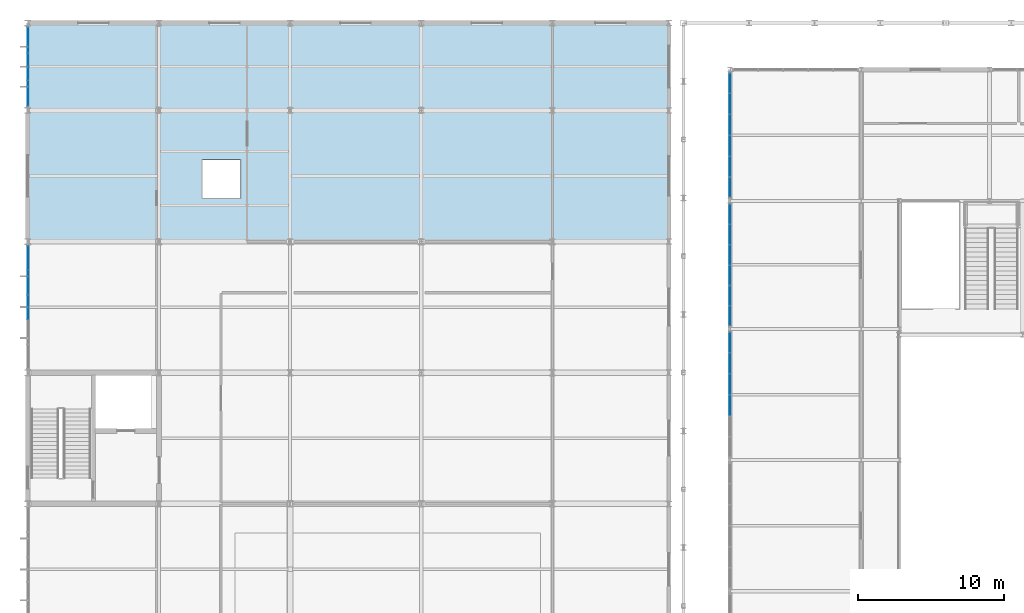
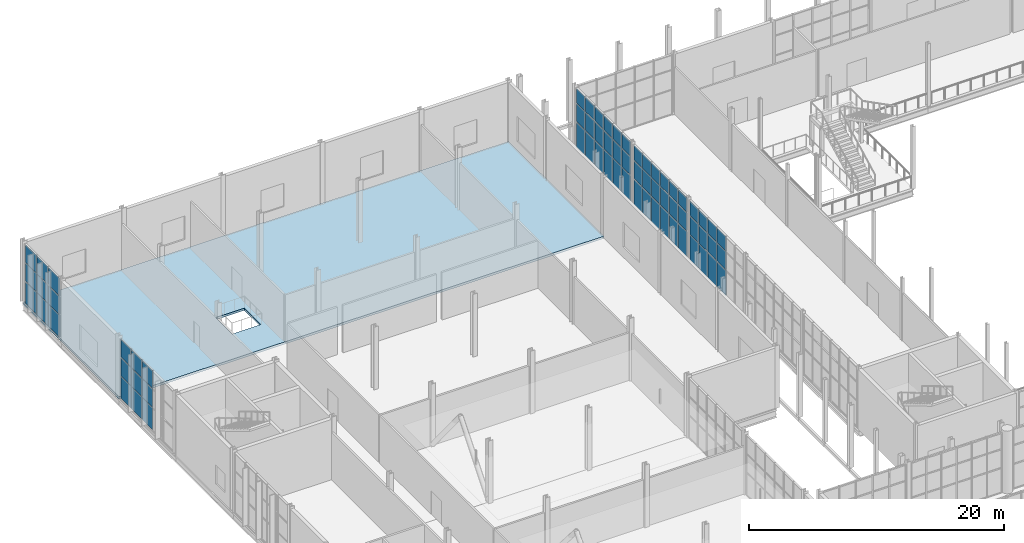
# One storey, part 104 of 159: 66 plates, 1 slab, 5 elements without a shape of their own.
"""IFC4 building model written with IfcOpenShell, lengths in metres."""

from ifc_helpers import new_model, si_unit, direction, frame, origin, origin_2d, place, context, subcontext, project, spatial, polyline, rectangle, outline, extrude, material, layer, layer_set, type_object, element, aggregate, save


model = new_model("IFC4")

# Units and contexts
model_context = context("Model", 3, precision=1e-05, world=origin(), true_north=direction((0.0, 1.0)))
body_context = subcontext(model_context, "Body", "Model", "MODEL_VIEW")
ifc_project = project(units=[si_unit("LENGTHUNIT", "METRE"), si_unit("AREAUNIT", "SQUARE_METRE"), si_unit("VOLUMEUNIT", "CUBIC_METRE"), si_unit("PLANEANGLEUNIT", "RADIAN"), si_unit("MASSUNIT", "GRAM", prefix="KILO")], contexts=[model_context])

# Site, building, storey
site_placement = place(None, origin())
site = spatial("IfcSite", under=ifc_project, at=site_placement, CompositionType="ELEMENT")
building_placement = place(site_placement, origin())
building = spatial("IfcBuilding", under=site, at=building_placement, Name="Cazmaro Siding Exhibition Halls", CompositionType="ELEMENT")
storey_placement = place(building_placement, frame((0.0, 0.0, 6.0)))
storey = spatial("IfcBuildingStorey", under=building, at=storey_placement, Name="L01", CompositionType="ELEMENT", Elevation=6.0)

# Curtain wall, plates
ifc_material_1 = material(Name="Anodized Bronze Aluminum and Solar-Control Low-E Glazing", Category="aluminium")
ifc_layer_1 = layer(ifc_material_1, 0.199951171875)
ifc_layer_set_1 = layer_set([ifc_layer_1], Name="Anodized Bronze Aluminum and Solar-Control Low-E Glazing")
curtain_wall_type_1 = type_object("IfcCurtainWallType", Name="CWS-02", PredefinedType="USERDEFINED", material=ifc_layer_set_1)
curtain_wall_1_placement = place(storey_placement, origin())
curtain_wall_1 = element("IfcCurtainWall", 1, at=curtain_wall_1_placement, inside=storey, type_object=curtain_wall_type_1, Name="Glazed Curtain Wall CWS-02 CW-234", ObjectType="GLAZED CURTAIN WALL", PredefinedType="USERDEFINED")
ifc_material_2 = material(Name="Solar-Control Low-E Double Insulating Glass", Category="glass")
ifc_layer_2 = layer(ifc_material_2, 0.035888671875)
ifc_layer_set_2 = layer_set([ifc_layer_2], Name="Solar-Control Low-E Double Insulating Glass")
plate_type_1 = type_object("IfcPlateType", Name="CWP-02", PredefinedType="CURTAIN_PANEL", material=ifc_layer_set_2)
plate_1_placement = place(storey_placement, frame((0.0, 107.88134765625, 0.06494140625), z_axis=(0.0, 0.0, 1.0), x_axis=(0.0, -1.0, 0.0)))
plate_1 = element("IfcPlate", 2, at=plate_1_placement, type_object=plate_type_1, Name="CWS-02 panel 1.1", PredefinedType="CURTAIN_PANEL", context=body_context, shape_type="SweptSolid", body=[
    extrude(rectangle(XDim=1.601318359375, YDim=0.035888671875, at=origin_2d()), origin(), (0.0, 0.0, 1.0), 2.1025390625),
])
plate_2_placement = place(storey_placement, frame((0.0, 107.88134765625, 2.232421875), z_axis=(0.0, 0.0, 1.0), x_axis=(0.0, -1.0, 0.0)))
plate_2 = element("IfcPlate", 3, at=plate_2_placement, type_object=plate_type_1, Name="CWS-02 panel 1.2", PredefinedType="CURTAIN_PANEL", context=body_context, shape_type="SweptSolid", body=[
    extrude(rectangle(XDim=1.601318359375, YDim=0.035888671875, at=origin_2d()), origin(), (0.0, 0.0, 1.0), 1.735107421875),
])
plate_3_placement = place(storey_placement, frame((0.0, 107.88134765625, 4.032470703125), z_axis=(0.0, 0.0, 1.0), x_axis=(0.0, -1.0, 0.0)))
plate_3 = element("IfcPlate", 4, at=plate_3_placement, type_object=plate_type_1, Name="CWS-02 panel 1.3", PredefinedType="CURTAIN_PANEL", context=body_context, shape_type="SweptSolid", body=[
    extrude(rectangle(XDim=1.601318359375, YDim=0.035888671875, at=origin_2d()), origin(), (0.0, 0.0, 1.0), 1.6826171875),
])
plate_4_placement = place(storey_placement, frame((0.0, 106.19873046875, 0.06494140625), z_axis=(0.0, 0.0, 1.0), x_axis=(0.0, -1.0, 0.0)))
plate_4 = element("IfcPlate", 5, at=plate_4_placement, type_object=plate_type_1, Name="CWS-02 panel 2.1", PredefinedType="CURTAIN_PANEL", context=body_context, shape_type="SweptSolid", body=[
    extrude(rectangle(XDim=1.6337890625, YDim=0.035888671875, at=origin_2d()), origin(), (0.0, 0.0, 1.0), 2.1025390625),
])
plate_5_placement = place(storey_placement, frame((0.0, 106.19873046875, 2.232421875), z_axis=(0.0, 0.0, 1.0), x_axis=(0.0, -1.0, 0.0)))
plate_5 = element("IfcPlate", 6, at=plate_5_placement, type_object=plate_type_1, Name="CWS-02 panel 2.2", PredefinedType="CURTAIN_PANEL", context=body_context, shape_type="SweptSolid", body=[
    extrude(rectangle(XDim=1.6337890625, YDim=0.035888671875, at=origin_2d()), origin(), (0.0, 0.0, 1.0), 1.735107421875),
])
plate_6_placement = place(storey_placement, frame((0.0, 106.19873046875, 4.032470703125), z_axis=(0.0, 0.0, 1.0), x_axis=(0.0, -1.0, 0.0)))
plate_6 = element("IfcPlate", 7, at=plate_6_placement, type_object=plate_type_1, Name="CWS-02 panel 2.3", PredefinedType="CURTAIN_PANEL", context=body_context, shape_type="SweptSolid", body=[
    extrude(rectangle(XDim=1.6337890625, YDim=0.035888671875, at=origin_2d()), origin(), (0.0, 0.0, 1.0), 1.6826171875),
])
plate_7_placement = place(storey_placement, frame((0.0, 104.5, 0.06494140625), z_axis=(0.0, 0.0, 1.0), x_axis=(0.0, -1.0, 0.0)))
plate_7 = element("IfcPlate", 8, at=plate_7_placement, type_object=plate_type_1, Name="CWS-02 panel 3.1", PredefinedType="CURTAIN_PANEL", context=body_context, shape_type="SweptSolid", body=[
    extrude(rectangle(XDim=1.6337890625, YDim=0.035888671875, at=origin_2d()), origin(), (0.0, 0.0, 1.0), 2.1025390625),
])
plate_8_placement = place(storey_placement, frame((0.0, 104.5, 2.232421875), z_axis=(0.0, 0.0, 1.0), x_axis=(0.0, -1.0, 0.0)))
plate_8 = element("IfcPlate", 9, at=plate_8_placement, type_object=plate_type_1, Name="CWS-02 panel 3.2", PredefinedType="CURTAIN_PANEL", context=body_context, shape_type="SweptSolid", body=[
    extrude(rectangle(XDim=1.6337890625, YDim=0.035888671875, at=origin_2d()), origin(), (0.0, 0.0, 1.0), 1.735107421875),
])
plate_9_placement = place(storey_placement, frame((0.0, 104.5, 4.032470703125), z_axis=(0.0, 0.0, 1.0), x_axis=(0.0, -1.0, 0.0)))
plate_9 = element("IfcPlate", 10, at=plate_9_placement, type_object=plate_type_1, Name="CWS-02 panel 3.3", PredefinedType="CURTAIN_PANEL", context=body_context, shape_type="SweptSolid", body=[
    extrude(rectangle(XDim=1.6337890625, YDim=0.035888671875, at=origin_2d()), origin(), (0.0, 0.0, 1.0), 1.6826171875),
])
aggregate(curtain_wall_1, [plate_1, plate_2, plate_3, plate_4, plate_5, plate_6, plate_7, plate_8, plate_9])

curtain_wall_2_placement = place(storey_placement, origin())
curtain_wall_2 = element("IfcCurtainWall", 11, at=curtain_wall_2_placement, inside=storey, type_object=curtain_wall_type_1, Name="Glazed Curtain Wall CWS-02 CW-235", ObjectType="GLAZED CURTAIN WALL", PredefinedType="USERDEFINED")
plate_10_placement = place(storey_placement, frame((0.0, 122.815185546875, 0.06494140625), z_axis=(0.0, 0.0, 1.0), x_axis=(0.0, -1.0, 0.0)))
plate_10 = element("IfcPlate", 12, at=plate_10_placement, type_object=plate_type_1, Name="CWS-02 panel 1.1", PredefinedType="CURTAIN_PANEL", context=body_context, shape_type="SweptSolid", body=[
    extrude(rectangle(XDim=1.73388671875, YDim=0.035888671875, at=origin_2d()), origin(), (0.0, 0.0, 1.0), 2.1025390625),
])
plate_11_placement = place(storey_placement, frame((0.0, 122.815185546875, 2.232421875), z_axis=(0.0, 0.0, 1.0), x_axis=(0.0, -1.0, 0.0)))
plate_11 = element("IfcPlate", 13, at=plate_11_placement, type_object=plate_type_1, Name="CWS-02 panel 1.2", PredefinedType="CURTAIN_PANEL", context=body_context, shape_type="SweptSolid", body=[
    extrude(rectangle(XDim=1.73388671875, YDim=0.035888671875, at=origin_2d()), origin(), (0.0, 0.0, 1.0), 1.735107421875),
])
plate_12_placement = place(storey_placement, frame((0.0, 122.815185546875, 4.032470703125), z_axis=(0.0, 0.0, 1.0), x_axis=(0.0, -1.0, 0.0)))
plate_12 = element("IfcPlate", 14, at=plate_12_placement, type_object=plate_type_1, Name="CWS-02 panel 1.3", PredefinedType="CURTAIN_PANEL", context=body_context, shape_type="SweptSolid", body=[
    extrude(rectangle(XDim=1.73388671875, YDim=0.035888671875, at=origin_2d()), origin(), (0.0, 0.0, 1.0), 1.6826171875),
])
plate_13_placement = place(storey_placement, frame((0.0, 121.0, 0.06494140625), z_axis=(0.0, 0.0, 1.0), x_axis=(0.0, -1.0, 0.0)))
plate_13 = element("IfcPlate", 15, at=plate_13_placement, type_object=plate_type_1, Name="CWS-02 panel 2.1", PredefinedType="CURTAIN_PANEL", context=body_context, shape_type="SweptSolid", body=[
    extrude(rectangle(XDim=1.766357421875, YDim=0.035888671875, at=origin_2d()), origin(), (0.0, 0.0, 1.0), 2.1025390625),
])
plate_14_placement = place(storey_placement, frame((0.0, 121.0, 2.232421875), z_axis=(0.0, 0.0, 1.0), x_axis=(0.0, -1.0, 0.0)))
plate_14 = element("IfcPlate", 16, at=plate_14_placement, type_object=plate_type_1, Name="CWS-02 panel 2.2", PredefinedType="CURTAIN_PANEL", context=body_context, shape_type="SweptSolid", body=[
    extrude(rectangle(XDim=1.766357421875, YDim=0.035888671875, at=origin_2d()), origin(), (0.0, 0.0, 1.0), 1.735107421875),
])
plate_15_placement = place(storey_placement, frame((0.0, 121.0, 4.032470703125), z_axis=(0.0, 0.0, 1.0), x_axis=(0.0, -1.0, 0.0)))
plate_15 = element("IfcPlate", 17, at=plate_15_placement, type_object=plate_type_1, Name="CWS-02 panel 2.3", PredefinedType="CURTAIN_PANEL", context=body_context, shape_type="SweptSolid", body=[
    extrude(rectangle(XDim=1.766357421875, YDim=0.035888671875, at=origin_2d()), origin(), (0.0, 0.0, 1.0), 1.6826171875),
])
plate_16_placement = place(storey_placement, frame((0.0, 119.184814453125, 0.06494140625), z_axis=(0.0, 0.0, 1.0), x_axis=(0.0, -1.0, 0.0)))
plate_16 = element("IfcPlate", 18, at=plate_16_placement, type_object=plate_type_1, Name="CWS-02 panel 3.1", PredefinedType="CURTAIN_PANEL", context=body_context, shape_type="SweptSolid", body=[
    extrude(rectangle(XDim=1.73388671875, YDim=0.035888671875, at=origin_2d()), origin(), (0.0, 0.0, 1.0), 2.1025390625),
])
plate_17_placement = place(storey_placement, frame((0.0, 119.184814453125, 2.232421875), z_axis=(0.0, 0.0, 1.0), x_axis=(0.0, -1.0, 0.0)))
plate_17 = element("IfcPlate", 19, at=plate_17_placement, type_object=plate_type_1, Name="CWS-02 panel 3.2", PredefinedType="CURTAIN_PANEL", context=body_context, shape_type="SweptSolid", body=[
    extrude(rectangle(XDim=1.73388671875, YDim=0.035888671875, at=origin_2d()), origin(), (0.0, 0.0, 1.0), 1.735107421875),
])
plate_18_placement = place(storey_placement, frame((0.0, 119.184814453125, 4.032470703125), z_axis=(0.0, 0.0, 1.0), x_axis=(0.0, -1.0, 0.0)))
plate_18 = element("IfcPlate", 20, at=plate_18_placement, type_object=plate_type_1, Name="CWS-02 panel 3.3", PredefinedType="CURTAIN_PANEL", context=body_context, shape_type="SweptSolid", body=[
    extrude(rectangle(XDim=1.73388671875, YDim=0.035888671875, at=origin_2d()), origin(), (0.0, 0.0, 1.0), 1.6826171875),
])
aggregate(curtain_wall_2, [plate_10, plate_11, plate_12, plate_13, plate_14, plate_15, plate_16, plate_17, plate_18])

ifc_material_3 = material(Name="Anodized Bronze Aluminum and Solar-Control Low-E Glazing", Category="aluminium")
ifc_layer_3 = layer(ifc_material_3, 0.219970703125)
ifc_layer_set_3 = layer_set([ifc_layer_3], Name="Anodized Bronze Aluminum and Solar-Control Low-E Glazing")
curtain_wall_type_2 = type_object("IfcCurtainWallType", Name="CWS-03", PredefinedType="USERDEFINED", material=ifc_layer_set_3)
curtain_wall_3_placement = place(storey_placement, origin())
curtain_wall_3 = element("IfcCurtainWall", 21, at=curtain_wall_3_placement, inside=storey, type_object=curtain_wall_type_2, Name="Glazed Curtain Wall CWS-03 CW-057", ObjectType="GLAZED CURTAIN WALL", PredefinedType="USERDEFINED")
ifc_material_4 = material(Name="Solar-Control Low-E Double Insulating Glass", Category="glass")
ifc_layer_4 = layer(ifc_material_4, 0.0458984375)
ifc_layer_set_4 = layer_set([ifc_layer_4], Name="Solar-Control Low-E Double Insulating Glass")
plate_type_2 = type_object("IfcPlateType", Name="CWP-03", PredefinedType="CURTAIN_PANEL", material=ifc_layer_set_4)
plate_19_placement = place(storey_placement, frame((48.199951171875, 102.0849609375, 0.070068359375), z_axis=(0.0, 0.0, 1.0), x_axis=(0.0, -1.0, 0.0)))
plate_19 = element("IfcPlate", 22, at=plate_19_placement, type_object=plate_type_2, Name="CWS-03 panel 1.1", PredefinedType="CURTAIN_PANEL", context=body_context, shape_type="SweptSolid", body=[
    extrude(rectangle(XDim=1.3359375, YDim=0.0458984375, at=origin_2d()), origin(), (0.0, 0.0, 1.0), 2.39501953125),
])
plate_20_placement = place(storey_placement, frame((48.199951171875, 102.0849609375, 2.534912109375), z_axis=(0.0, 0.0, 1.0), x_axis=(0.0, -1.0, 0.0)))
plate_20 = element("IfcPlate", 23, at=plate_20_placement, type_object=plate_type_2, Name="CWS-03 panel 1.2", PredefinedType="CURTAIN_PANEL", context=body_context, shape_type="SweptSolid", body=[
    extrude(rectangle(XDim=1.3359375, YDim=0.0458984375, at=origin_2d()), origin(), (0.0, 0.0, 1.0), 1.72998046875),
])
plate_21_placement = place(storey_placement, frame((48.199951171875, 102.0849609375, 4.3349609375), z_axis=(0.0, 0.0, 1.0), x_axis=(0.0, -1.0, 0.0)))
plate_21 = element("IfcPlate", 24, at=plate_21_placement, type_object=plate_type_2, Name="CWS-03 panel 1.3", PredefinedType="CURTAIN_PANEL", context=body_context, shape_type="SweptSolid", body=[
    extrude(rectangle(XDim=1.3359375, YDim=0.0458984375, at=origin_2d()), origin(), (0.0, 0.0, 1.0), 1.375),
])
plate_22_placement = place(storey_placement, frame((48.199951171875, 100.66162109375, 0.070068359375), z_axis=(0.0, 0.0, 1.0), x_axis=(0.0, -1.0, 0.0)))
plate_22 = element("IfcPlate", 25, at=plate_22_placement, type_object=plate_type_2, Name="CWS-03 panel 2.1", PredefinedType="CURTAIN_PANEL", context=body_context, shape_type="SweptSolid", body=[
    extrude(rectangle(XDim=1.37109375, YDim=0.0458984375, at=origin_2d()), origin(), (0.0, 0.0, 1.0), 2.39501953125),
])
plate_23_placement = place(storey_placement, frame((48.199951171875, 100.66162109375, 2.534912109375), z_axis=(0.0, 0.0, 1.0), x_axis=(0.0, -1.0, 0.0)))
plate_23 = element("IfcPlate", 26, at=plate_23_placement, type_object=plate_type_2, Name="CWS-03 panel 2.2", PredefinedType="CURTAIN_PANEL", context=body_context, shape_type="SweptSolid", body=[
    extrude(rectangle(XDim=1.37109375, YDim=0.0458984375, at=origin_2d()), origin(), (0.0, 0.0, 1.0), 1.72998046875),
])
plate_24_placement = place(storey_placement, frame((48.199951171875, 100.66162109375, 4.3349609375), z_axis=(0.0, 0.0, 1.0), x_axis=(0.0, -1.0, 0.0)))
plate_24 = element("IfcPlate", 27, at=plate_24_placement, type_object=plate_type_2, Name="CWS-03 panel 2.3", PredefinedType="CURTAIN_PANEL", context=body_context, shape_type="SweptSolid", body=[
    extrude(rectangle(XDim=1.37109375, YDim=0.0458984375, at=origin_2d()), origin(), (0.0, 0.0, 1.0), 1.375),
])
plate_25_placement = place(storey_placement, frame((48.199951171875, 99.220458984375, 0.070068359375), z_axis=(0.0, 0.0, 1.0), x_axis=(0.0, -1.0, 0.0)))
plate_25 = element("IfcPlate", 28, at=plate_25_placement, type_object=plate_type_2, Name="CWS-03 panel 3.1", PredefinedType="CURTAIN_PANEL", context=body_context, shape_type="SweptSolid", body=[
    extrude(rectangle(XDim=1.37109375, YDim=0.0458984375, at=origin_2d()), origin(), (0.0, 0.0, 1.0), 2.39501953125),
])
plate_26_placement = place(storey_placement, frame((48.199951171875, 99.220458984375, 2.534912109375), z_axis=(0.0, 0.0, 1.0), x_axis=(0.0, -1.0, 0.0)))
plate_26 = element("IfcPlate", 29, at=plate_26_placement, type_object=plate_type_2, Name="CWS-03 panel 3.2", PredefinedType="CURTAIN_PANEL", context=body_context, shape_type="SweptSolid", body=[
    extrude(rectangle(XDim=1.37109375, YDim=0.0458984375, at=origin_2d()), origin(), (0.0, 0.0, 1.0), 1.72998046875),
])
plate_27_placement = place(storey_placement, frame((48.199951171875, 99.220458984375, 4.3349609375), z_axis=(0.0, 0.0, 1.0), x_axis=(0.0, -1.0, 0.0)))
plate_27 = element("IfcPlate", 30, at=plate_27_placement, type_object=plate_type_2, Name="CWS-03 panel 3.3", PredefinedType="CURTAIN_PANEL", context=body_context, shape_type="SweptSolid", body=[
    extrude(rectangle(XDim=1.37109375, YDim=0.0458984375, at=origin_2d()), origin(), (0.0, 0.0, 1.0), 1.375),
])
plate_28_placement = place(storey_placement, frame((48.199951171875, 97.779541015625, 0.070068359375), z_axis=(0.0, 0.0, 1.0), x_axis=(0.0, -1.0, 0.0)))
plate_28 = element("IfcPlate", 31, at=plate_28_placement, type_object=plate_type_2, Name="CWS-03 panel 4.1", PredefinedType="CURTAIN_PANEL", context=body_context, shape_type="SweptSolid", body=[
    extrude(rectangle(XDim=1.37109375, YDim=0.0458984375, at=origin_2d()), origin(), (0.0, 0.0, 1.0), 2.39501953125),
])
plate_29_placement = place(storey_placement, frame((48.199951171875, 97.779541015625, 2.534912109375), z_axis=(0.0, 0.0, 1.0), x_axis=(0.0, -1.0, 0.0)))
plate_29 = element("IfcPlate", 32, at=plate_29_placement, type_object=plate_type_2, Name="CWS-03 panel 4.2", PredefinedType="CURTAIN_PANEL", context=body_context, shape_type="SweptSolid", body=[
    extrude(rectangle(XDim=1.37109375, YDim=0.0458984375, at=origin_2d()), origin(), (0.0, 0.0, 1.0), 1.72998046875),
])
plate_30_placement = place(storey_placement, frame((48.199951171875, 97.779541015625, 4.3349609375), z_axis=(0.0, 0.0, 1.0), x_axis=(0.0, -1.0, 0.0)))
plate_30 = element("IfcPlate", 33, at=plate_30_placement, type_object=plate_type_2, Name="CWS-03 panel 4.3", PredefinedType="CURTAIN_PANEL", context=body_context, shape_type="SweptSolid", body=[
    extrude(rectangle(XDim=1.37109375, YDim=0.0458984375, at=origin_2d()), origin(), (0.0, 0.0, 1.0), 1.375),
])
aggregate(curtain_wall_3, [plate_19, plate_20, plate_21, plate_22, plate_23, plate_24, plate_25, plate_26, plate_27, plate_28, plate_29, plate_30])

curtain_wall_4_placement = place(storey_placement, origin())
curtain_wall_4 = element("IfcCurtainWall", 34, at=curtain_wall_4_placement, inside=storey, type_object=curtain_wall_type_2, Name="Glazed Curtain Wall CWS-03 CW-060", ObjectType="GLAZED CURTAIN WALL", PredefinedType="USERDEFINED")
plate_31_placement = place(storey_placement, frame((48.199951171875, 110.88232421875, 0.070068359375), z_axis=(0.0, 0.0, 1.0), x_axis=(0.0, -1.0, 0.0)))
plate_31 = element("IfcPlate", 35, at=plate_31_placement, type_object=plate_type_2, Name="CWS-03 panel 1.1", PredefinedType="CURTAIN_PANEL", context=body_context, shape_type="SweptSolid", body=[
    extrude(rectangle(XDim=1.299072265625, YDim=0.0458984375, at=origin_2d()), origin(), (0.0, 0.0, 1.0), 2.39501953125),
])
plate_32_placement = place(storey_placement, frame((48.199951171875, 110.88232421875, 2.534912109375), z_axis=(0.0, 0.0, 1.0), x_axis=(0.0, -1.0, 0.0)))
plate_32 = element("IfcPlate", 36, at=plate_32_placement, type_object=plate_type_2, Name="CWS-03 panel 1.2", PredefinedType="CURTAIN_PANEL", context=body_context, shape_type="SweptSolid", body=[
    extrude(rectangle(XDim=1.299072265625, YDim=0.0458984375, at=origin_2d()), origin(), (0.0, 0.0, 1.0), 1.72998046875),
])
plate_33_placement = place(storey_placement, frame((48.199951171875, 110.88232421875, 4.3349609375), z_axis=(0.0, 0.0, 1.0), x_axis=(0.0, -1.0, 0.0)))
plate_33 = element("IfcPlate", 37, at=plate_33_placement, type_object=plate_type_2, Name="CWS-03 panel 1.3", PredefinedType="CURTAIN_PANEL", context=body_context, shape_type="SweptSolid", body=[
    extrude(rectangle(XDim=1.299072265625, YDim=0.0458984375, at=origin_2d()), origin(), (0.0, 0.0, 1.0), 1.375),
])
plate_34_placement = place(storey_placement, frame((48.199951171875, 109.495849609375, 0.070068359375), z_axis=(0.0, 0.0, 1.0), x_axis=(0.0, -1.0, 0.0)))
plate_34 = element("IfcPlate", 38, at=plate_34_placement, type_object=plate_type_2, Name="CWS-03 panel 2.1", PredefinedType="CURTAIN_PANEL", context=body_context, shape_type="SweptSolid", body=[
    extrude(rectangle(XDim=1.334228515625, YDim=0.0458984375, at=origin_2d()), origin(), (0.0, 0.0, 1.0), 2.39501953125),
])
plate_35_placement = place(storey_placement, frame((48.199951171875, 109.495849609375, 2.534912109375), z_axis=(0.0, 0.0, 1.0), x_axis=(0.0, -1.0, 0.0)))
plate_35 = element("IfcPlate", 39, at=plate_35_placement, type_object=plate_type_2, Name="CWS-03 panel 2.2", PredefinedType="CURTAIN_PANEL", context=body_context, shape_type="SweptSolid", body=[
    extrude(rectangle(XDim=1.334228515625, YDim=0.0458984375, at=origin_2d()), origin(), (0.0, 0.0, 1.0), 1.72998046875),
])
plate_36_placement = place(storey_placement, frame((48.199951171875, 109.495849609375, 4.3349609375), z_axis=(0.0, 0.0, 1.0), x_axis=(0.0, -1.0, 0.0)))
plate_36 = element("IfcPlate", 40, at=plate_36_placement, type_object=plate_type_2, Name="CWS-03 panel 2.3", PredefinedType="CURTAIN_PANEL", context=body_context, shape_type="SweptSolid", body=[
    extrude(rectangle(XDim=1.334228515625, YDim=0.0458984375, at=origin_2d()), origin(), (0.0, 0.0, 1.0), 1.375),
])
plate_37_placement = place(storey_placement, frame((48.199951171875, 108.091552734375, 0.070068359375), z_axis=(0.0, 0.0, 1.0), x_axis=(0.0, -1.0, 0.0)))
plate_37 = element("IfcPlate", 41, at=plate_37_placement, type_object=plate_type_2, Name="CWS-03 panel 3.1", PredefinedType="CURTAIN_PANEL", context=body_context, shape_type="SweptSolid", body=[
    extrude(rectangle(XDim=1.334228515625, YDim=0.0458984375, at=origin_2d()), origin(), (0.0, 0.0, 1.0), 2.39501953125),
])
plate_38_placement = place(storey_placement, frame((48.199951171875, 108.091552734375, 2.534912109375), z_axis=(0.0, 0.0, 1.0), x_axis=(0.0, -1.0, 0.0)))
plate_38 = element("IfcPlate", 42, at=plate_38_placement, type_object=plate_type_2, Name="CWS-03 panel 3.2", PredefinedType="CURTAIN_PANEL", context=body_context, shape_type="SweptSolid", body=[
    extrude(rectangle(XDim=1.334228515625, YDim=0.0458984375, at=origin_2d()), origin(), (0.0, 0.0, 1.0), 1.72998046875),
])
plate_39_placement = place(storey_placement, frame((48.199951171875, 108.091552734375, 4.3349609375), z_axis=(0.0, 0.0, 1.0), x_axis=(0.0, -1.0, 0.0)))
plate_39 = element("IfcPlate", 43, at=plate_39_placement, type_object=plate_type_2, Name="CWS-03 panel 3.3", PredefinedType="CURTAIN_PANEL", context=body_context, shape_type="SweptSolid", body=[
    extrude(rectangle(XDim=1.334228515625, YDim=0.0458984375, at=origin_2d()), origin(), (0.0, 0.0, 1.0), 1.375),
])
plate_40_placement = place(storey_placement, frame((48.199951171875, 106.6875, 0.070068359375), z_axis=(0.0, 0.0, 1.0), x_axis=(0.0, -1.0, 0.0)))
plate_40 = element("IfcPlate", 44, at=plate_40_placement, type_object=plate_type_2, Name="CWS-03 panel 4.1", PredefinedType="CURTAIN_PANEL", context=body_context, shape_type="SweptSolid", body=[
    extrude(rectangle(XDim=1.334228515625, YDim=0.0458984375, at=origin_2d()), origin(), (0.0, 0.0, 1.0), 2.39501953125),
])
plate_41_placement = place(storey_placement, frame((48.199951171875, 106.6875, 2.534912109375), z_axis=(0.0, 0.0, 1.0), x_axis=(0.0, -1.0, 0.0)))
plate_41 = element("IfcPlate", 45, at=plate_41_placement, type_object=plate_type_2, Name="CWS-03 panel 4.2", PredefinedType="CURTAIN_PANEL", context=body_context, shape_type="SweptSolid", body=[
    extrude(rectangle(XDim=1.334228515625, YDim=0.0458984375, at=origin_2d()), origin(), (0.0, 0.0, 1.0), 1.72998046875),
])
plate_42_placement = place(storey_placement, frame((48.199951171875, 106.6875, 4.3349609375), z_axis=(0.0, 0.0, 1.0), x_axis=(0.0, -1.0, 0.0)))
plate_42 = element("IfcPlate", 46, at=plate_42_placement, type_object=plate_type_2, Name="CWS-03 panel 4.3", PredefinedType="CURTAIN_PANEL", context=body_context, shape_type="SweptSolid", body=[
    extrude(rectangle(XDim=1.334228515625, YDim=0.0458984375, at=origin_2d()), origin(), (0.0, 0.0, 1.0), 1.375),
])
plate_43_placement = place(storey_placement, frame((48.199951171875, 105.283203125, 0.070068359375), z_axis=(0.0, 0.0, 1.0), x_axis=(0.0, -1.0, 0.0)))
plate_43 = element("IfcPlate", 47, at=plate_43_placement, type_object=plate_type_2, Name="CWS-03 panel 5.1", PredefinedType="CURTAIN_PANEL", context=body_context, shape_type="SweptSolid", body=[
    extrude(rectangle(XDim=1.334228515625, YDim=0.0458984375, at=origin_2d()), origin(), (0.0, 0.0, 1.0), 2.39501953125),
])
plate_44_placement = place(storey_placement, frame((48.199951171875, 105.283203125, 2.534912109375), z_axis=(0.0, 0.0, 1.0), x_axis=(0.0, -1.0, 0.0)))
plate_44 = element("IfcPlate", 48, at=plate_44_placement, type_object=plate_type_2, Name="CWS-03 panel 5.2", PredefinedType="CURTAIN_PANEL", context=body_context, shape_type="SweptSolid", body=[
    extrude(rectangle(XDim=1.334228515625, YDim=0.0458984375, at=origin_2d()), origin(), (0.0, 0.0, 1.0), 1.72998046875),
])
plate_45_placement = place(storey_placement, frame((48.199951171875, 105.283203125, 4.3349609375), z_axis=(0.0, 0.0, 1.0), x_axis=(0.0, -1.0, 0.0)))
plate_45 = element("IfcPlate", 49, at=plate_45_placement, type_object=plate_type_2, Name="CWS-03 panel 5.3", PredefinedType="CURTAIN_PANEL", context=body_context, shape_type="SweptSolid", body=[
    extrude(rectangle(XDim=1.334228515625, YDim=0.0458984375, at=origin_2d()), origin(), (0.0, 0.0, 1.0), 1.375),
])
plate_46_placement = place(storey_placement, frame((48.199951171875, 103.896484375, 0.070068359375), z_axis=(0.0, 0.0, 1.0), x_axis=(0.0, -1.0, 0.0)))
plate_46 = element("IfcPlate", 50, at=plate_46_placement, type_object=plate_type_2, Name="CWS-03 panel 6.1", PredefinedType="CURTAIN_PANEL", context=body_context, shape_type="SweptSolid", body=[
    extrude(rectangle(XDim=1.299072265625, YDim=0.0458984375, at=origin_2d()), origin(), (0.0, 0.0, 1.0), 2.39501953125),
])
plate_47_placement = place(storey_placement, frame((48.199951171875, 103.896484375, 2.534912109375), z_axis=(0.0, 0.0, 1.0), x_axis=(0.0, -1.0, 0.0)))
plate_47 = element("IfcPlate", 51, at=plate_47_placement, type_object=plate_type_2, Name="CWS-03 panel 6.2", PredefinedType="CURTAIN_PANEL", context=body_context, shape_type="SweptSolid", body=[
    extrude(rectangle(XDim=1.299072265625, YDim=0.0458984375, at=origin_2d()), origin(), (0.0, 0.0, 1.0), 1.72998046875),
])
plate_48_placement = place(storey_placement, frame((48.199951171875, 103.896484375, 4.3349609375), z_axis=(0.0, 0.0, 1.0), x_axis=(0.0, -1.0, 0.0)))
plate_48 = element("IfcPlate", 52, at=plate_48_placement, type_object=plate_type_2, Name="CWS-03 panel 6.3", PredefinedType="CURTAIN_PANEL", context=body_context, shape_type="SweptSolid", body=[
    extrude(rectangle(XDim=1.299072265625, YDim=0.0458984375, at=origin_2d()), origin(), (0.0, 0.0, 1.0), 1.375),
])
aggregate(curtain_wall_4, [plate_31, plate_32, plate_33, plate_34, plate_35, plate_36, plate_37, plate_38, plate_39, plate_40, plate_41, plate_42, plate_43, plate_44, plate_45, plate_46, plate_47, plate_48])

curtain_wall_5_placement = place(storey_placement, origin())
curtain_wall_5 = element("IfcCurtainWall", 53, at=curtain_wall_5_placement, inside=storey, type_object=curtain_wall_type_2, Name="Glazed Curtain Wall CWS-03 CW-063", ObjectType="GLAZED CURTAIN WALL", PredefinedType="USERDEFINED")
plate_49_placement = place(storey_placement, frame((48.199951171875, 119.867431640625, 0.070068359375), z_axis=(0.0, 0.0, 1.0), x_axis=(0.0, -1.0, 0.0)))
plate_49 = element("IfcPlate", 54, at=plate_49_placement, type_object=plate_type_2, Name="CWS-03 panel 1.1", PredefinedType="CURTAIN_PANEL", context=body_context, shape_type="SweptSolid", body=[
    extrude(rectangle(XDim=1.3291015625, YDim=0.0458984375, at=origin_2d()), origin(), (0.0, 0.0, 1.0), 2.39501953125),
])
plate_50_placement = place(storey_placement, frame((48.199951171875, 119.867431640625, 2.534912109375), z_axis=(0.0, 0.0, 1.0), x_axis=(0.0, -1.0, 0.0)))
plate_50 = element("IfcPlate", 55, at=plate_50_placement, type_object=plate_type_2, Name="CWS-03 panel 1.2", PredefinedType="CURTAIN_PANEL", context=body_context, shape_type="SweptSolid", body=[
    extrude(rectangle(XDim=1.3291015625, YDim=0.0458984375, at=origin_2d()), origin(), (0.0, 0.0, 1.0), 1.72998046875),
])
plate_51_placement = place(storey_placement, frame((48.199951171875, 119.867431640625, 4.3349609375), z_axis=(0.0, 0.0, 1.0), x_axis=(0.0, -1.0, 0.0)))
plate_51 = element("IfcPlate", 56, at=plate_51_placement, type_object=plate_type_2, Name="CWS-03 panel 1.3", PredefinedType="CURTAIN_PANEL", context=body_context, shape_type="SweptSolid", body=[
    extrude(rectangle(XDim=1.3291015625, YDim=0.0458984375, at=origin_2d()), origin(), (0.0, 0.0, 1.0), 1.375),
])
plate_52_placement = place(storey_placement, frame((48.199951171875, 118.450927734375, 0.070068359375), z_axis=(0.0, 0.0, 1.0), x_axis=(0.0, -1.0, 0.0)))
plate_52 = element("IfcPlate", 57, at=plate_52_placement, type_object=plate_type_2, Name="CWS-03 panel 2.1", PredefinedType="CURTAIN_PANEL", context=body_context, shape_type="SweptSolid", body=[
    extrude(rectangle(XDim=1.364013671875, YDim=0.0458984375, at=origin_2d()), origin(), (0.0, 0.0, 1.0), 2.39501953125),
])
plate_53_placement = place(storey_placement, frame((48.199951171875, 118.450927734375, 2.534912109375), z_axis=(0.0, 0.0, 1.0), x_axis=(0.0, -1.0, 0.0)))
plate_53 = element("IfcPlate", 58, at=plate_53_placement, type_object=plate_type_2, Name="CWS-03 panel 2.2", PredefinedType="CURTAIN_PANEL", context=body_context, shape_type="SweptSolid", body=[
    extrude(rectangle(XDim=1.364013671875, YDim=0.0458984375, at=origin_2d()), origin(), (0.0, 0.0, 1.0), 1.72998046875),
])
plate_54_placement = place(storey_placement, frame((48.199951171875, 118.450927734375, 4.3349609375), z_axis=(0.0, 0.0, 1.0), x_axis=(0.0, -1.0, 0.0)))
plate_54 = element("IfcPlate", 59, at=plate_54_placement, type_object=plate_type_2, Name="CWS-03 panel 2.3", PredefinedType="CURTAIN_PANEL", context=body_context, shape_type="SweptSolid", body=[
    extrude(rectangle(XDim=1.364013671875, YDim=0.0458984375, at=origin_2d()), origin(), (0.0, 0.0, 1.0), 1.375),
])
plate_55_placement = place(storey_placement, frame((48.199951171875, 117.01708984375, 0.070068359375), z_axis=(0.0, 0.0, 1.0), x_axis=(0.0, -1.0, 0.0)))
plate_55 = element("IfcPlate", 60, at=plate_55_placement, type_object=plate_type_2, Name="CWS-03 panel 3.1", PredefinedType="CURTAIN_PANEL", context=body_context, shape_type="SweptSolid", body=[
    extrude(rectangle(XDim=1.364013671875, YDim=0.0458984375, at=origin_2d()), origin(), (0.0, 0.0, 1.0), 2.39501953125),
])
plate_56_placement = place(storey_placement, frame((48.199951171875, 117.01708984375, 2.534912109375), z_axis=(0.0, 0.0, 1.0), x_axis=(0.0, -1.0, 0.0)))
plate_56 = element("IfcPlate", 61, at=plate_56_placement, type_object=plate_type_2, Name="CWS-03 panel 3.2", PredefinedType="CURTAIN_PANEL", context=body_context, shape_type="SweptSolid", body=[
    extrude(rectangle(XDim=1.364013671875, YDim=0.0458984375, at=origin_2d()), origin(), (0.0, 0.0, 1.0), 1.72998046875),
])
plate_57_placement = place(storey_placement, frame((48.199951171875, 117.01708984375, 4.3349609375), z_axis=(0.0, 0.0, 1.0), x_axis=(0.0, -1.0, 0.0)))
plate_57 = element("IfcPlate", 62, at=plate_57_placement, type_object=plate_type_2, Name="CWS-03 panel 3.3", PredefinedType="CURTAIN_PANEL", context=body_context, shape_type="SweptSolid", body=[
    extrude(rectangle(XDim=1.364013671875, YDim=0.0458984375, at=origin_2d()), origin(), (0.0, 0.0, 1.0), 1.375),
])
plate_58_placement = place(storey_placement, frame((48.199951171875, 115.5830078125, 0.070068359375), z_axis=(0.0, 0.0, 1.0), x_axis=(0.0, -1.0, 0.0)))
plate_58 = element("IfcPlate", 63, at=plate_58_placement, type_object=plate_type_2, Name="CWS-03 panel 4.1", PredefinedType="CURTAIN_PANEL", context=body_context, shape_type="SweptSolid", body=[
    extrude(rectangle(XDim=1.364013671875, YDim=0.0458984375, at=origin_2d()), origin(), (0.0, 0.0, 1.0), 2.39501953125),
])
plate_59_placement = place(storey_placement, frame((48.199951171875, 115.5830078125, 2.534912109375), z_axis=(0.0, 0.0, 1.0), x_axis=(0.0, -1.0, 0.0)))
plate_59 = element("IfcPlate", 64, at=plate_59_placement, type_object=plate_type_2, Name="CWS-03 panel 4.2", PredefinedType="CURTAIN_PANEL", context=body_context, shape_type="SweptSolid", body=[
    extrude(rectangle(XDim=1.364013671875, YDim=0.0458984375, at=origin_2d()), origin(), (0.0, 0.0, 1.0), 1.72998046875),
])
plate_60_placement = place(storey_placement, frame((48.199951171875, 115.5830078125, 4.3349609375), z_axis=(0.0, 0.0, 1.0), x_axis=(0.0, -1.0, 0.0)))
plate_60 = element("IfcPlate", 65, at=plate_60_placement, type_object=plate_type_2, Name="CWS-03 panel 4.3", PredefinedType="CURTAIN_PANEL", context=body_context, shape_type="SweptSolid", body=[
    extrude(rectangle(XDim=1.364013671875, YDim=0.0458984375, at=origin_2d()), origin(), (0.0, 0.0, 1.0), 1.375),
])
plate_61_placement = place(storey_placement, frame((48.199951171875, 114.14892578125, 0.070068359375), z_axis=(0.0, 0.0, 1.0), x_axis=(0.0, -1.0, 0.0)))
plate_61 = element("IfcPlate", 66, at=plate_61_placement, type_object=plate_type_2, Name="CWS-03 panel 5.1", PredefinedType="CURTAIN_PANEL", context=body_context, shape_type="SweptSolid", body=[
    extrude(rectangle(XDim=1.364013671875, YDim=0.0458984375, at=origin_2d()), origin(), (0.0, 0.0, 1.0), 2.39501953125),
])
plate_62_placement = place(storey_placement, frame((48.199951171875, 114.14892578125, 2.534912109375), z_axis=(0.0, 0.0, 1.0), x_axis=(0.0, -1.0, 0.0)))
plate_62 = element("IfcPlate", 67, at=plate_62_placement, type_object=plate_type_2, Name="CWS-03 panel 5.2", PredefinedType="CURTAIN_PANEL", context=body_context, shape_type="SweptSolid", body=[
    extrude(rectangle(XDim=1.364013671875, YDim=0.0458984375, at=origin_2d()), origin(), (0.0, 0.0, 1.0), 1.72998046875),
])
plate_63_placement = place(storey_placement, frame((48.199951171875, 114.14892578125, 4.3349609375), z_axis=(0.0, 0.0, 1.0), x_axis=(0.0, -1.0, 0.0)))
plate_63 = element("IfcPlate", 68, at=plate_63_placement, type_object=plate_type_2, Name="CWS-03 panel 5.3", PredefinedType="CURTAIN_PANEL", context=body_context, shape_type="SweptSolid", body=[
    extrude(rectangle(XDim=1.364013671875, YDim=0.0458984375, at=origin_2d()), origin(), (0.0, 0.0, 1.0), 1.375),
])
plate_64_placement = place(storey_placement, frame((48.199951171875, 112.732421875, 0.070068359375), z_axis=(0.0, 0.0, 1.0), x_axis=(0.0, -1.0, 0.0)))
plate_64 = element("IfcPlate", 69, at=plate_64_placement, type_object=plate_type_2, Name="CWS-03 panel 6.1", PredefinedType="CURTAIN_PANEL", context=body_context, shape_type="SweptSolid", body=[
    extrude(rectangle(XDim=1.3291015625, YDim=0.0458984375, at=origin_2d()), origin(), (0.0, 0.0, 1.0), 2.39501953125),
])
plate_65_placement = place(storey_placement, frame((48.199951171875, 112.732421875, 2.534912109375), z_axis=(0.0, 0.0, 1.0), x_axis=(0.0, -1.0, 0.0)))
plate_65 = element("IfcPlate", 70, at=plate_65_placement, type_object=plate_type_2, Name="CWS-03 panel 6.2", PredefinedType="CURTAIN_PANEL", context=body_context, shape_type="SweptSolid", body=[
    extrude(rectangle(XDim=1.3291015625, YDim=0.0458984375, at=origin_2d()), origin(), (0.0, 0.0, 1.0), 1.72998046875),
])
plate_66_placement = place(storey_placement, frame((48.199951171875, 112.732421875, 4.3349609375), z_axis=(0.0, 0.0, 1.0), x_axis=(0.0, -1.0, 0.0)))
plate_66 = element("IfcPlate", 71, at=plate_66_placement, type_object=plate_type_2, Name="CWS-03 panel 6.3", PredefinedType="CURTAIN_PANEL", context=body_context, shape_type="SweptSolid", body=[
    extrude(rectangle(XDim=1.3291015625, YDim=0.0458984375, at=origin_2d()), origin(), (0.0, 0.0, 1.0), 1.375),
])
aggregate(curtain_wall_5, [plate_49, plate_50, plate_51, plate_52, plate_53, plate_54, plate_55, plate_56, plate_57, plate_58, plate_59, plate_60, plate_61, plate_62, plate_63, plate_64, plate_65, plate_66])

# Slab
ifc_material_5 = material(Name="Concrete f'c 35 MPa", Category="concrete")
ifc_layer_5 = layer(ifc_material_5, 0.219970703125)
ifc_layer_set_5 = layer_set([ifc_layer_5], Name="Concrete f'c 35 MPa")
slab_type = type_object("IfcSlabType", Name="FS-01", PredefinedType="FLOOR", material=ifc_layer_set_5)
slab_placement = place(storey_placement, frame((0.0, 0.0, -0.219970703125)))
element("IfcSlab", 72, at=slab_placement, inside=storey, type_object=slab_type, Name="West Wing North L01 FS-01 SLB-0023", PredefinedType="FLOOR", context=body_context, shape_type="SweptSolid", body=[
    extrude(outline(polyline([(0.0, 109.0), (44.0, 109.0), (44.0, 124.0), (0.0, 124.0), (0.0, 109.0)]), holes=[polyline([(12.0, 112.0), (14.60009765625, 112.0), (14.60009765625, 114.60009765625), (12.0, 114.60009765625), (12.0, 112.0)])]), origin(), (0.0, 0.0, 1.0), 0.219970703125),
])

save(model, "model.ifc")
